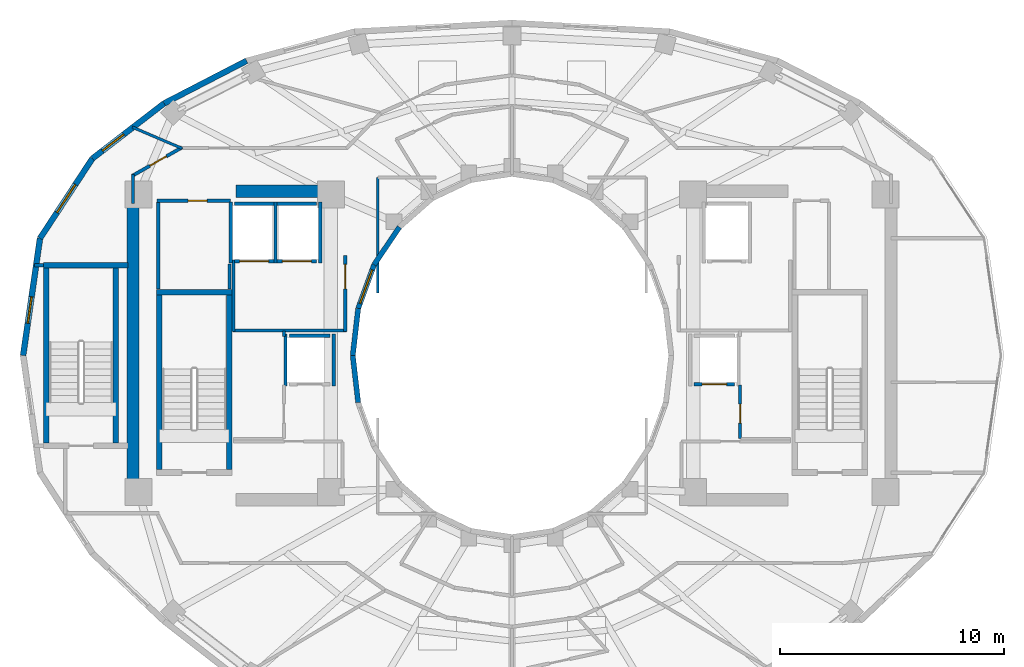
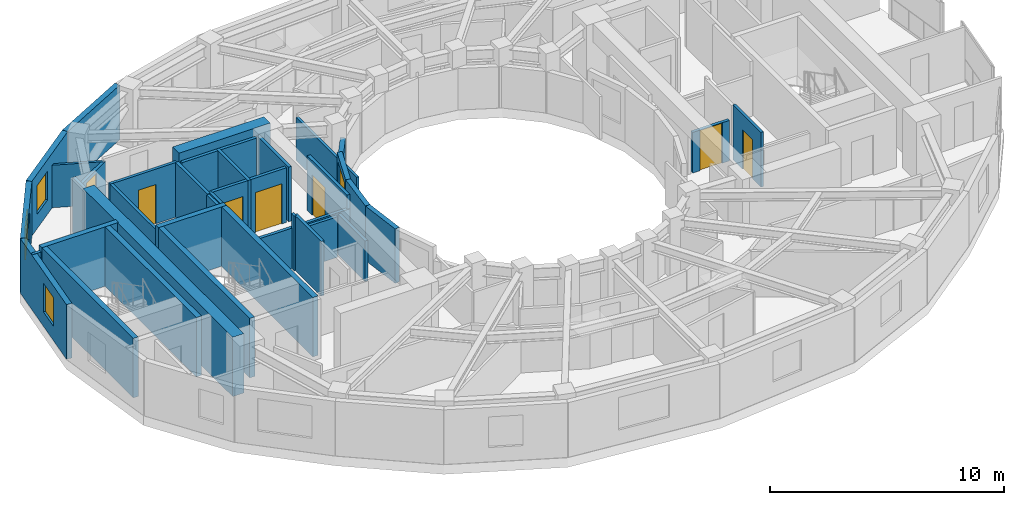
# One storey, part 7 of 12: 40 walls, 7 doors, 4 windows, 11 openings.
"""IFC4 building model written with IfcOpenShell, lengths in metres."""

from ifc_helpers import new_model, si_unit, direction, frame, frame_2d, origin, place, context, subcontext, project, spatial, rectangle, extrude, material, layer, layer_set, type_object, element, fill, save


model = new_model("IFC4")

# Units and contexts
model_context = context("Model", 3, precision=1e-05, world=origin(), true_north=direction((0.0, 1.0)))
body_context = subcontext(model_context, "Body", "Model", "MODEL_VIEW")
ifc_project = project(units=[si_unit("LENGTHUNIT", "METRE"), si_unit("AREAUNIT", "SQUARE_METRE"), si_unit("VOLUMEUNIT", "CUBIC_METRE"), si_unit("PLANEANGLEUNIT", "RADIAN"), si_unit("MASSUNIT", "GRAM", prefix="KILO")], contexts=[model_context])

# Site, building, storey
site_placement = place(None, origin())
site = spatial("IfcSite", under=ifc_project, at=site_placement, CompositionType="ELEMENT")
building_placement = place(site_placement, origin())
building = spatial("IfcBuilding", under=site, at=building_placement, Name="Solvane Sanctuary Tower", CompositionType="ELEMENT")
storey_placement = place(building_placement, frame((0.0, 0.0, 210.89990234375)))
storey = spatial("IfcBuildingStorey", under=building, at=storey_placement, Name="L64", CompositionType="ELEMENT", Elevation=210.89990234375)

# Walls
ifc_material_1 = material(Name="Concrete C50/60", Category="concrete")
ifc_layer_1 = layer(ifc_material_1, 0.550048828125, Name="Concrete C50/60")
ifc_layer_set_1 = layer_set([ifc_layer_1], Name="Concrete C50/60")
wall_type_1 = type_object("IfcWallType", Name="Wall W-CORE-550", PredefinedType="SHEAR", material=ifc_layer_set_1)
wall_1_placement = place(storey_placement, frame((15.050048828125, 17.050048828125, 0.0), z_axis=(0.0, 0.0, 1.0), x_axis=(0.0, 1.0, 0.0)))
element("IfcWall", 1, at=wall_1_placement, inside=storey, type_object=wall_type_1, Name="L64 Core Shear Wall WC-W", PredefinedType="SHEAR", context=body_context, shape_type="SweptSolid", body=[
    extrude(rectangle(XDim=12.800048828125, YDim=0.550048828125, at=frame_2d((6.39990234375, 0.0))), origin(), (0.0, 0.0, 1.0), 3.10009765625),
])
wall_2_placement = place(storey_placement, frame((19.64990234375, 30.35009765625, 0.0), z_axis=(0.0, 0.0, 1.0), x_axis=(1.0, 0.0, 0.0)))
element("IfcWall", 2, at=wall_2_placement, inside=storey, type_object=wall_type_1, Name="L64 Core Shear Wall WC-N", PredefinedType="SHEAR", context=body_context, shape_type="SweptSolid", body=[
    extrude(rectangle(XDim=4.5, YDim=0.550048828125, at=frame_2d((2.25, 0.0))), origin(), (0.0, 0.0, 1.0), 3.10009765625),
])
ifc_material_2 = material(Name="Acoustic Gypsum Partition Board")
ifc_layer_2 = layer(ifc_material_2, 0.14990234375, Name="Acoustic Gypsum Partition Board")
ifc_layer_set_2 = layer_set([ifc_layer_2], Name="Acoustic Gypsum Partition Board")
wall_type_2 = type_object("IfcWallType", Name="Wall W-CORR-150", PredefinedType="PARTITIONING", material=ifc_layer_set_2)
wall_3_placement = place(storey_placement, frame((19.52001953125, 24.1201171875, 0.0), z_axis=(0.0, 0.0, 1.0), x_axis=(1.0, 0.0, 0.0)))
element("IfcWall", 3, at=wall_3_placement, inside=storey, type_object=wall_type_2, Name="L64 West Firefighting Lobby South Wall", PredefinedType="PARTITIONING", context=body_context, shape_type="SweptSolid", body=[
    extrude(rectangle(XDim=5.080078125, YDim=0.14990234375, at=frame_2d((2.5400390625, 0.0))), origin(), (0.0, 0.0, 1.0), 2.1201171875),
])
wall_4_placement = place(storey_placement, frame((19.550048828125, 24.080078125, 0.0), z_axis=(0.0, 0.0, 1.0), x_axis=(0.0, 1.0, 0.0)))
element("IfcWall", 4, at=wall_4_placement, inside=storey, type_object=wall_type_2, Name="L64 West Firefighting Lobby West Wall", PredefinedType="PARTITIONING", context=body_context, shape_type="SweptSolid", body=[
    extrude(rectangle(XDim=3.199951171875, YDim=0.14990234375, at=frame_2d((1.60009765625, 0.0))), origin(), (0.0, 0.0, 1.0), 2.85498046875),
])

# Wall, opening, door
wall_5_placement = place(storey_placement, frame((24.550048828125, 24.080078125, 0.0), z_axis=(0.0, 0.0, 1.0), x_axis=(0.0, 1.0, 0.0)))
wall_5 = element("IfcWall", 5, at=wall_5_placement, inside=storey, type_object=wall_type_2, Name="L64 West Firefighting Lobby East Wall", PredefinedType="PARTITIONING", context=body_context, shape_type="SweptSolid", body=[
    extrude(rectangle(XDim=3.39990234375, YDim=0.14990234375, at=frame_2d((1.699951171875, 0.0))), origin(), (0.0, 0.0, 1.0), 2.85498046875),
])
opening_1_placement = place(wall_5_placement, frame((1.893798828125, 0.0, 0.0)))
opening_1 = element("IfcOpeningElement", 6, at=opening_1_placement, cuts=wall_5, Name="Opening D-L64-04", PredefinedType="OPENING", context=body_context, shape_type="SweptSolid", body=[
    extrude(rectangle(XDim=1.10009765625, YDim=2.10009765625, at=frame_2d((0.550048828125, 1.050048828125))), frame((0.0, 0.0849609375, 0.0), z_axis=(0.0, -1.0, 0.0), x_axis=(1.0, 0.0, 0.0)), (0.0, 0.0, 1.0), 0.169921875),
])
ifc_material_3 = material(Name="Architectural Stainless Steel 316", Category="steel")
door_type_1 = type_object("IfcDoorType", Name="Door D-FFL", OperationType="NOTDEFINED", PredefinedType="DOOR", material=ifc_material_3)
door_1_placement = place(opening_1_placement, origin())
door_1 = element("IfcDoor", 7, at=door_1_placement, inside=storey, type_object=door_type_1, Name="L64 West Firefighting Lobby Fire Door", OperationType="SINGLE_SWING_RIGHT", OverallHeight=2.10009765625, OverallWidth=1.10009765625, PredefinedType="DOOR", context=body_context, shape_type="SweptSolid", body=[
    extrude(rectangle(XDim=1.10009765625, YDim=2.10009765625, at=frame_2d((0.550048828125, 1.050048828125))), frame((0.0, 0.02490234375, 0.0), z_axis=(0.0, -1.0, 0.0), x_axis=(1.0, 0.0, 0.0)), (0.0, 0.0, 1.0), 0.050048828125),
])
fill(opening_1, door_1)

# Walls
wall_6_placement = place(storey_placement, frame((10.639892578125, 27.030029296875, 0.0), z_axis=(0.0, 0.0, 1.0), x_axis=(1.0, 0.0, 0.0)))
element("IfcWall", 8, at=wall_6_placement, inside=storey, type_object=wall_type_2, Name="L64 NW Corner Closer 1", PredefinedType="PARTITIONING", context=body_context, shape_type="SweptSolid", body=[
    extrude(rectangle(XDim=0.400146484375, YDim=0.14990234375, at=frame_2d((0.2001953125, 0.0))), origin(), (0.0, 0.0, 1.0), 2.85498046875),
])
wall_7_placement = place(storey_placement, frame((15.050048828125, 29.800048828125, 0.0), z_axis=(0.0, 0.0, 1.0), x_axis=(0.0, 1.0, 0.0)))
element("IfcWall", 9, at=wall_7_placement, inside=storey, type_object=wall_type_2, Name="L64 NW Corner Closer 2", PredefinedType="PARTITIONING", context=body_context, shape_type="SweptSolid", body=[
    extrude(rectangle(XDim=1.2900390625, YDim=0.14990234375, at=frame_2d((0.64501953125, 0.0))), origin(), (0.0, 0.0, 1.0), 2.85498046875),
])

# Wall, opening, door
wall_8_placement = place(storey_placement, frame((17.243408203125, 32.3046875, 0.0), z_axis=(0.0, 0.0, 1.0), x_axis=(-0.867991349648, -0.496579315857, 0.0)))
wall_8 = element("IfcWall", 10, at=wall_8_placement, inside=storey, type_object=wall_type_2, Name="L64 NW Corner Wing Wall", PredefinedType="PARTITIONING", context=body_context, shape_type="SweptSolid", body=[
    extrude(rectangle(XDim=2.56689453125, YDim=0.14990234375, at=frame_2d((1.283447265625, 0.0))), origin(), (0.0, 0.0, 1.0), 2.22021484375),
])
opening_2_placement = place(wall_8_placement, frame((0.8017578125, 0.0, 0.0)))
opening_2 = element("IfcOpeningElement", 11, at=opening_2_placement, cuts=wall_8, Name="Opening D-L64-20", PredefinedType="OPENING", context=body_context, shape_type="SweptSolid", body=[
    extrude(rectangle(XDim=0.85009765625, YDim=2.050048828125, at=frame_2d((0.425048828125, 1.02490234375))), frame((0.0, 0.0849609375, 0.0), z_axis=(0.0, -1.0, 0.0), x_axis=(1.0, 0.0, 0.0)), (0.0, 0.0, 1.0), 0.169921875),
])
door_type_2 = type_object("IfcDoorType", Name="Door D-RISER", OperationType="NOTDEFINED", PredefinedType="DOOR", material=ifc_material_3)
door_2_placement = place(opening_2_placement, origin())
door_2 = element("IfcDoor", 12, at=door_2_placement, inside=storey, type_object=door_type_2, Name="L64 NW Corner Suite Door", OperationType="SINGLE_SWING_RIGHT", OverallHeight=2.050048828125, OverallWidth=0.85009765625, PredefinedType="DOOR", context=body_context, shape_type="SweptSolid", body=[
    extrude(rectangle(XDim=0.85009765625, YDim=2.050048828125, at=frame_2d((0.425048828125, 1.02490234375))), frame((0.0, 0.02490234375, 0.0), z_axis=(0.0, -1.0, 0.0), x_axis=(1.0, 0.0, 0.0)), (0.0, 0.0, 1.0), 0.050048828125),
])
fill(opening_2, door_2)

# Wall
ifc_material_4 = material(Name="Precast concrete C40/50", Category="concrete")
ifc_layer_3 = layer(ifc_material_4, 0.260009765625, Name="Precast concrete C40/50")
ifc_layer_set_3 = layer_set([ifc_layer_3], Name="Precast concrete C40/50")
wall_type_3 = type_object("IfcWallType", Name="Wall W-EXT-250", PredefinedType="STANDARD", material=ifc_layer_set_3)
wall_9_placement = place(storey_placement, frame((20.1298828125, 36.177001953125, 0.0), z_axis=(0.0, 0.0, 1.0), x_axis=(-0.88849146803, -0.458893137057, 0.0)))
element("IfcWall", 13, at=wall_9_placement, inside=storey, type_object=wall_type_3, Name="L64 Ceramic-Printed Facade Wall 08", PredefinedType="STANDARD", context=body_context, shape_type="SweptSolid", body=[
    extrude(rectangle(XDim=4.150390625, YDim=0.260009765625, at=frame_2d((2.0751953125, 0.0))), origin(), (0.0, 0.0, 1.0), 2.85009765625),
])

# Wall, opening, window
wall_10_placement = place(storey_placement, frame((16.4423828125, 34.2724609375, 0.0), z_axis=(0.0, 0.0, 1.0), x_axis=(-0.792713817907, -0.609593965603, 0.0)))
wall_10 = element("IfcWall", 14, at=wall_10_placement, inside=storey, type_object=wall_type_3, Name="L64 Ceramic-Printed Facade Wall 09", PredefinedType="STANDARD", context=body_context, shape_type="SweptSolid", body=[
    extrude(rectangle(XDim=4.041015625, YDim=0.260009765625, at=frame_2d((2.0205078125, 0.0))), origin(), (0.0, 0.0, 1.0), 2.85009765625),
])
opening_3_placement = place(wall_10_placement, frame((2.275390625, 0.0, 0.75)))
opening_3 = element("IfcOpeningElement", 15, at=opening_3_placement, cuts=wall_10, Name="Opening WN-OPER-1200", PredefinedType="OPENING", context=body_context, shape_type="SweptSolid", body=[
    extrude(rectangle(XDim=1.199951171875, YDim=1.5, at=frame_2d((0.60009765625, 0.75))), frame((0.0, 0.139892578125, 0.0), z_axis=(0.0, -1.0, 0.0), x_axis=(1.0, 0.0, 0.0)), (0.0, 0.0, 1.0), 0.280029296875),
])
ifc_material_5 = material(Name="Dark Ceramic-Fritted Low-E Glass", Category="glass")
window_type_1 = type_object("IfcWindowType", Name="Window WN-OPER-1200", PartitioningType="SINGLE_PANEL", PredefinedType="WINDOW", material=ifc_material_5)
window_1_placement = place(opening_3_placement, origin())
window_1 = element("IfcWindow", 16, at=window_1_placement, inside=storey, type_object=window_type_1, Name="L64 Operable Facade Window 09", OverallHeight=1.5, OverallWidth=1.199951171875, PartitioningType="SINGLE_PANEL", PredefinedType="WINDOW", context=body_context, shape_type="SweptSolid", body=[
    extrude(rectangle(XDim=1.199951171875, YDim=1.5, at=frame_2d((0.60009765625, 0.75))), frame((0.0, 0.030029296875, 0.0), z_axis=(0.0, -1.0, 0.0), x_axis=(1.0, 0.0, 0.0)), (0.0, 0.0, 1.0), 0.06005859375),
])
fill(opening_3, window_1)

wall_11_placement = place(storey_placement, frame((13.239013671875, 31.80908203125, 0.0), z_axis=(0.0, 0.0, 1.0), x_axis=(-0.548776305075, -0.835969238064, 0.0)))
wall_11 = element("IfcWall", 17, at=wall_11_placement, inside=storey, type_object=wall_type_3, Name="L64 Ceramic-Printed Facade Wall 10", PredefinedType="STANDARD", context=body_context, shape_type="SweptSolid", body=[
    extrude(rectangle(XDim=4.270751953125, YDim=0.260009765625, at=frame_2d((2.13525390625, 0.0))), origin(), (0.0, 0.0, 1.0), 2.85009765625),
])
opening_4_placement = place(wall_11_placement, frame((1.385498046875, 0.0, 0.75)))
opening_4 = element("IfcOpeningElement", 18, at=opening_4_placement, cuts=wall_11, Name="Opening WN-OPER-1500", PredefinedType="OPENING", context=body_context, shape_type="SweptSolid", body=[
    extrude(rectangle(XDim=1.5, YDim=1.60009765625, at=frame_2d((0.75, 0.800048828125))), frame((0.0, 0.139892578125, 0.0), z_axis=(0.0, -1.0, 0.0), x_axis=(1.0, 0.0, 0.0)), (0.0, 0.0, 1.0), 0.280029296875),
])
window_type_2 = type_object("IfcWindowType", Name="Window WN-OPER-1500", PartitioningType="SINGLE_PANEL", PredefinedType="WINDOW", material=ifc_material_5)
window_2_placement = place(opening_4_placement, origin())
window_2 = element("IfcWindow", 19, at=window_2_placement, inside=storey, type_object=window_type_2, Name="L64 Operable Facade Window 10", OverallHeight=1.60009765625, OverallWidth=1.5, PartitioningType="SINGLE_PANEL", PredefinedType="WINDOW", context=body_context, shape_type="SweptSolid", body=[
    extrude(rectangle(XDim=1.5, YDim=1.60009765625, at=frame_2d((0.75, 0.800048828125))), frame((0.0, 0.030029296875, 0.0), z_axis=(0.0, -1.0, 0.0), x_axis=(1.0, 0.0, 0.0)), (0.0, 0.0, 1.0), 0.06005859375),
])
fill(opening_4, window_2)

wall_12_placement = place(storey_placement, frame((10.895263671875, 28.23876953125, 0.0), z_axis=(0.0, 0.0, 1.0), x_axis=(-0.142712754019, -0.989764148593, 0.0)))
wall_12 = element("IfcWall", 20, at=wall_12_placement, inside=storey, type_object=wall_type_3, Name="L64 Ceramic-Printed Facade Wall 11", PredefinedType="STANDARD", context=body_context, shape_type="SweptSolid", body=[
    extrude(rectangle(XDim=5.29296875, YDim=0.260009765625, at=frame_2d((2.646484375, 0.0))), origin(), (0.0, 0.0, 1.0), 2.85009765625),
])
opening_5_placement = place(wall_12_placement, frame((2.635009765625, 0.0, 0.75)))
opening_5 = element("IfcOpeningElement", 21, at=opening_5_placement, cuts=wall_12, Name="Opening WN-OPER-1200", PredefinedType="OPENING", context=body_context, shape_type="SweptSolid", body=[
    extrude(rectangle(XDim=1.199951171875, YDim=1.5, at=frame_2d((0.60009765625, 0.75))), frame((0.0, 0.139892578125, 0.0), z_axis=(0.0, -1.0, 0.0), x_axis=(1.0, 0.0, 0.0)), (0.0, 0.0, 1.0), 0.280029296875),
])
window_3_placement = place(opening_5_placement, origin())
window_3 = element("IfcWindow", 22, at=window_3_placement, inside=storey, type_object=window_type_1, Name="L64 Operable Facade Window 11", OverallHeight=1.5, OverallWidth=1.199951171875, PartitioningType="SINGLE_PANEL", PredefinedType="WINDOW", context=body_context, shape_type="SweptSolid", body=[
    extrude(rectangle(XDim=1.199951171875, YDim=1.5, at=frame_2d((0.60009765625, 0.75))), frame((0.0, 0.030029296875, 0.0), z_axis=(0.0, -1.0, 0.0), x_axis=(1.0, 0.0, 0.0)), (0.0, 0.0, 1.0), 0.06005859375),
])
fill(opening_5, window_3)

# Wall
ifc_layer_4 = layer(ifc_material_4, 0.22998046875, Name="Precast concrete C40/50")
ifc_layer_set_4 = layer_set([ifc_layer_4], Name="Precast concrete C40/50")
wall_type_4 = type_object("IfcWallType", Name="Wall W-EXT-SP220", PredefinedType="STANDARD", material=ifc_layer_set_4)
wall_13_placement = place(storey_placement, frame((26.96533203125, 28.74169921875, 0.0), z_axis=(0.0, 0.0, 1.0), x_axis=(-0.558197800898, -0.829707909492, 0.0)))
element("IfcWall", 23, at=wall_13_placement, inside=storey, type_object=wall_type_4, Name="L64 Central Light-Well Wall 09", PredefinedType="STANDARD", context=body_context, shape_type="SweptSolid", body=[
    extrude(rectangle(XDim=2.02685546875, YDim=0.22998046875, at=frame_2d((1.013427734375, 0.0))), origin(), (0.0, 0.0, 1.0), 2.16015625),
])

# Wall, opening, window
wall_14_placement = place(storey_placement, frame((25.833984375, 27.06005859375, 0.0), z_axis=(0.0, 0.0, 1.0), x_axis=(-0.341423187295, -0.93990968033, 0.0)))
wall_14 = element("IfcWall", 24, at=wall_14_placement, inside=storey, type_object=wall_type_4, Name="L64 Central Light-Well Wall 10", PredefinedType="STANDARD", context=body_context, shape_type="SweptSolid", body=[
    extrude(rectangle(XDim=2.083740234375, YDim=0.22998046875, at=frame_2d((1.0419921875, 0.0))), origin(), (0.0, 0.0, 1.0), 2.840087890625),
])
opening_6_placement = place(wall_14_placement, frame((0.24169921875, 0.0, 0.85009765625)))
opening_6 = element("IfcOpeningElement", 25, at=opening_6_placement, cuts=wall_14, Name="Opening WN-WELL-1600", PredefinedType="OPENING", context=body_context, shape_type="SweptSolid", body=[
    extrude(rectangle(XDim=1.60009765625, YDim=1.64990234375, at=frame_2d((0.800048828125, 0.824951171875))), frame((0.0, 0.125, 0.0), z_axis=(0.0, -1.0, 0.0), x_axis=(1.0, 0.0, 0.0)), (0.0, 0.0, 1.0), 0.25),
])
ifc_material_6 = material(Name="Clear Laminated Light-Well Glass", Category="glass")
window_type_3 = type_object("IfcWindowType", Name="Window WN-WELL-1600", PartitioningType="SINGLE_PANEL", PredefinedType="WINDOW", material=ifc_material_6)
window_4_placement = place(opening_6_placement, origin())
window_4 = element("IfcWindow", 26, at=window_4_placement, inside=storey, type_object=window_type_3, Name="L64 Light-Well Daylight Window 10", OverallHeight=1.64990234375, OverallWidth=1.60009765625, PartitioningType="SINGLE_PANEL", PredefinedType="WINDOW", context=body_context, shape_type="SweptSolid", body=[
    extrude(rectangle(XDim=1.60009765625, YDim=1.64990234375, at=frame_2d((0.800048828125, 0.824951171875))), frame((0.0, 0.030029296875, 0.0), z_axis=(0.0, -1.0, 0.0), x_axis=(1.0, 0.0, 0.0)), (0.0, 0.0, 1.0), 0.06005859375),
])
fill(opening_6, window_4)

# Walls
for number, where, z_axis, x_axis, name in (
    (27, (25.12255859375, 25.1015625, 0.0), (0.0, 0.0, 1.0), (-0.114711713601, -0.993398823617, 0.0), "L64 Central Light-Well Wall 11"),
    (28, (24.8798828125, 23.0, 0.0), (0.0, 0.0, 1.0), (0.114711713601, -0.993398823617, 0.0), "L64 Central Light-Well Wall 12"),
):
    element("IfcWall", number, at=place(storey_placement, frame(where, z_axis=z_axis, x_axis=x_axis)), inside=storey, type_object=wall_type_4, Name=name, PredefinedType="STANDARD", context=body_context, shape_type="SweptSolid", body=[
        extrude(rectangle(XDim=2.115478515625, YDim=0.22998046875, at=frame_2d((1.0576171875, 0.0))), origin(), (0.0, 0.0, 1.0), 2.840087890625),
    ])
ifc_layer_5 = layer(ifc_material_2, 0.1201171875, Name="Acoustic Gypsum Partition Board")
ifc_layer_set_5 = layer_set([ifc_layer_5], Name="Acoustic Gypsum Partition Board")
wall_type_5 = type_object("IfcWallType", Name="Wall W-MOV-100", PredefinedType="MOVABLE", material=ifc_layer_set_5)
wall_15_placement = place(storey_placement, frame((17.24609375, 32.260498046875, 0.0), z_axis=(0.0, 0.0, 1.0), x_axis=(-0.919666784939, 0.39269963672, 0.0)))
element("IfcWall", 29, at=wall_15_placement, inside=storey, type_object=wall_type_5, Name="L64 NW Corner Suite Partition", PredefinedType="MOVABLE", context=body_context, shape_type="SweptSolid", body=[
    extrude(rectangle(XDim=2.41650390625, YDim=0.1201171875, at=frame_2d((1.208251953125, 0.0))), origin(), (0.0, 0.0, 1.0), 2.22021484375),
])
ifc_layer_6 = layer(ifc_material_2, 0.125, Name="Acoustic Gypsum Partition Board")
ifc_layer_set_6 = layer_set([ifc_layer_6], Name="Acoustic Gypsum Partition Board")
wall_type_6 = type_object("IfcWallType", Name="Wall W-PART-125", PredefinedType="PARTITIONING", material=ifc_layer_set_6)
wall_16_placement = place(storey_placement, frame((21.800048828125, 23.85009765625, 0.0), z_axis=(0.0, 0.0, 1.0), x_axis=(0.0, 1.0, 0.0)))
element("IfcWall", 30, at=wall_16_placement, inside=storey, type_object=wall_type_6, Name="L64 Reclaimed Room Dividing Wall PMW", PredefinedType="PARTITIONING", context=body_context, shape_type="SweptSolid", body=[
    extrude(rectangle(XDim=0.25, YDim=0.125, at=frame_2d((0.125, 0.0))), origin(), (0.0, 0.0, 1.0), 2.85498046875),
])

# Wall, opening, door
wall_17_placement = place(storey_placement, frame((42.199951171875, 19.280029296875, 0.0), z_axis=(0.0, 0.0, 1.0), x_axis=(0.0, 1.0, 0.0)))
wall_17 = element("IfcWall", 31, at=wall_17_placement, inside=storey, type_object=wall_type_6, Name="L64 Reclaimed Room Partition PME", PredefinedType="PARTITIONING", context=body_context, shape_type="SweptSolid", body=[
    extrude(rectangle(XDim=2.39990234375, YDim=0.125, at=frame_2d((1.199951171875, 0.0))), origin(), (0.0, 0.0, 1.0), 2.85498046875),
])
opening_7_placement = place(wall_17_placement, frame((0.699951171875, 0.0, 0.0)))
opening_7 = element("IfcOpeningElement", 32, at=opening_7_placement, cuts=wall_17, Name="Opening D-L64-09", PredefinedType="OPENING", context=body_context, shape_type="SweptSolid", body=[
    extrude(rectangle(XDim=0.85009765625, YDim=2.050048828125, at=frame_2d((0.425048828125, 1.02490234375))), frame((0.0, 0.072509765625, 0.0), z_axis=(0.0, -1.0, 0.0), x_axis=(1.0, 0.0, 0.0)), (0.0, 0.0, 1.0), 0.14501953125),
])
door_3_placement = place(opening_7_placement, origin())
door_3 = element("IfcDoor", 33, at=door_3_placement, inside=storey, type_object=door_type_2, Name="L64 Reclaimed Room Door PME-1", OperationType="SINGLE_SWING_LEFT", OverallHeight=2.050048828125, OverallWidth=0.85009765625, PredefinedType="DOOR", context=body_context, shape_type="SweptSolid", body=[
    extrude(rectangle(XDim=0.85009765625, YDim=2.050048828125, at=frame_2d((0.425048828125, 1.02490234375))), frame((0.0, 0.02490234375, 0.0), z_axis=(0.0, -1.0, 0.0), x_axis=(1.0, 0.0, 0.0)), (0.0, 0.0, 1.0), 0.050048828125),
])
fill(opening_7, door_3)

# Walls
wall_18_placement = place(storey_placement, frame((26.0, 25.800048828125, 0.0), z_axis=(0.0, 0.0, 1.0), x_axis=(0.0, 1.0, 0.0)))
element("IfcWall", 34, at=wall_18_placement, inside=storey, type_object=wall_type_6, Name="L64 Bridge Alcove Wall 1", PredefinedType="PARTITIONING", context=body_context, shape_type="SweptSolid", body=[
    extrude(rectangle(XDim=5.159912109375, YDim=0.125, at=frame_2d((2.580078125, 0.0))), origin(), (0.0, 0.0, 1.0), 2.232177734375),
])
ifc_layer_7 = layer(ifc_material_1, 0.14990234375, Name="Concrete C50/60")
ifc_layer_set_7 = layer_set([ifc_layer_7], Name="Concrete C50/60")
wall_type_7 = type_object("IfcWallType", Name="Wall W-SHAFT-150", PredefinedType="SOLIDWALL", material=ifc_layer_set_7)
wall_19_placement = place(storey_placement, frame((22.0400390625, 23.8798828125, 0.0), z_axis=(0.0, 0.0, 1.0), x_axis=(1.0, 0.0, 0.0)))
element("IfcWall", 35, at=wall_19_placement, inside=storey, type_object=wall_type_7, Name="L64 PH-1 Lift Shaft Wall B", PredefinedType="SOLIDWALL", context=body_context, shape_type="SweptSolid", body=[
    extrude(rectangle(XDim=1.820068359375, YDim=0.14990234375, at=frame_2d((0.91015625, 0.0))), origin(), (0.0, 0.0, 1.0), 2.1201171875),
])
wall_20_placement = place(storey_placement, frame((21.8701171875, 21.639892578125, 0.0), z_axis=(0.0, 0.0, 1.0), x_axis=(0.0, 1.0, 0.0)))
element("IfcWall", 36, at=wall_20_placement, inside=storey, type_object=wall_type_7, Name="L64 PH-1 Lift Shaft Wall S1", PredefinedType="SOLIDWALL", context=body_context, shape_type="SweptSolid", body=[
    extrude(rectangle(XDim=2.320068359375, YDim=0.14990234375, at=frame_2d((1.16015625, 0.0))), origin(), (0.0, 0.0, 1.0), 2.85498046875),
])
wall_21_placement = place(storey_placement, frame((24.030029296875, 21.639892578125, 0.0), z_axis=(0.0, 0.0, 1.0), x_axis=(0.0, 1.0, 0.0)))
element("IfcWall", 37, at=wall_21_placement, inside=storey, type_object=wall_type_7, Name="L64 PH-1 Lift Shaft Wall S2", PredefinedType="SOLIDWALL", context=body_context, shape_type="SweptSolid", body=[
    extrude(rectangle(XDim=2.320068359375, YDim=0.14990234375, at=frame_2d((1.16015625, 0.0))), origin(), (0.0, 0.0, 1.0), 2.1201171875),
])

# Wall, opening, door
wall_22_placement = place(storey_placement, frame((40.139892578125, 21.719970703125, 0.0), z_axis=(0.0, 0.0, 1.0), x_axis=(1.0, 0.0, 0.0)))
wall_22 = element("IfcWall", 38, at=wall_22_placement, inside=storey, type_object=wall_type_7, Name="L64 PH-2 Lift Shaft Wall F", PredefinedType="SOLIDWALL", context=body_context, shape_type="SweptSolid", body=[
    extrude(rectangle(XDim=1.820068359375, YDim=0.14990234375, at=frame_2d((0.91015625, 0.0))), origin(), (0.0, 0.0, 1.0), 2.1201171875),
])
opening_8_placement = place(wall_22_placement, frame((0.360107421875, 0.0, 0.0)))
opening_8 = element("IfcOpeningElement", 39, at=opening_8_placement, cuts=wall_22, Name="Opening LD-L64-02", PredefinedType="OPENING", context=body_context, shape_type="SweptSolid", body=[
    extrude(rectangle(XDim=1.10009765625, YDim=2.10009765625, at=frame_2d((0.550048828125, 1.050048828125))), frame((0.0, 0.0849609375, 0.0), z_axis=(0.0, -1.0, 0.0), x_axis=(1.0, 0.0, 0.0)), (0.0, 0.0, 1.0), 0.169921875),
])
door_type_3 = type_object("IfcDoorType", Name="Door LD-PASS-1100", OperationType="NOTDEFINED", PredefinedType="DOOR", material=ifc_material_3)
door_4_placement = place(opening_8_placement, origin())
door_4 = element("IfcDoor", 40, at=door_4_placement, inside=storey, type_object=door_type_3, Name="L64 PH-2 Lift Landing Door", OperationType="DOUBLE_DOOR_SLIDING", OverallHeight=2.10009765625, OverallWidth=1.10009765625, PredefinedType="DOOR", context=body_context, shape_type="SweptSolid", body=[
    extrude(rectangle(XDim=1.10009765625, YDim=2.10009765625, at=frame_2d((0.550048828125, 1.050048828125))), frame((0.0, 0.02490234375, 0.0), z_axis=(0.0, -1.0, 0.0), x_axis=(1.0, 0.0, 0.0)), (0.0, 0.0, 1.0), 0.050048828125),
])
fill(opening_8, door_4)

wall_23_placement = place(storey_placement, frame((19.590087890625, 27.219970703125, 0.0), z_axis=(0.0, 0.0, 1.0), x_axis=(1.0, 0.0, 0.0)))
wall_23 = element("IfcWall", 41, at=wall_23_placement, inside=storey, type_object=wall_type_7, Name="L64 FFL-1 Lift Shaft Wall F", PredefinedType="SOLIDWALL", context=body_context, shape_type="SweptSolid", body=[
    extrude(rectangle(XDim=1.760009765625, YDim=0.14990234375, at=frame_2d((0.8798828125, 0.0))), origin(), (0.0, 0.0, 1.0), 2.85498046875),
])
opening_9_placement = place(wall_23_placement, frame((0.22998046875, 0.0, 0.0)))
opening_9 = element("IfcOpeningElement", 42, at=opening_9_placement, cuts=wall_23, Name="Opening LD-L64-03", PredefinedType="OPENING", context=body_context, shape_type="SweptSolid", body=[
    extrude(rectangle(XDim=1.300048828125, YDim=2.10009765625, at=frame_2d((0.64990234375, 1.050048828125))), frame((0.0, 0.0849609375, 0.0), z_axis=(0.0, -1.0, 0.0), x_axis=(1.0, 0.0, 0.0)), (0.0, 0.0, 1.0), 0.169921875),
])
door_type_4 = type_object("IfcDoorType", Name="Door LD-FFL-1300", OperationType="NOTDEFINED", PredefinedType="DOOR", material=ifc_material_3)
door_5_placement = place(opening_9_placement, origin())
door_5 = element("IfcDoor", 43, at=door_5_placement, inside=storey, type_object=door_type_4, Name="L64 FFL-1 Lift Landing Door", OperationType="DOUBLE_DOOR_SLIDING", OverallHeight=2.10009765625, OverallWidth=1.300048828125, PredefinedType="DOOR", context=body_context, shape_type="SweptSolid", body=[
    extrude(rectangle(XDim=1.300048828125, YDim=2.10009765625, at=frame_2d((0.64990234375, 1.050048828125))), frame((0.0, 0.02490234375, 0.0), z_axis=(0.0, -1.0, 0.0), x_axis=(1.0, 0.0, 0.0)), (0.0, 0.0, 1.0), 0.050048828125),
])
fill(opening_9, door_5)

# Walls
wall_24_placement = place(storey_placement, frame((19.590087890625, 29.780029296875, 0.0), z_axis=(0.0, 0.0, 1.0), x_axis=(1.0, 0.0, 0.0)))
element("IfcWall", 44, at=wall_24_placement, inside=storey, type_object=wall_type_7, Name="L64 FFL-1 Lift Shaft Wall B", PredefinedType="SOLIDWALL", context=body_context, shape_type="SweptSolid", body=[
    extrude(rectangle(XDim=1.760009765625, YDim=0.14990234375, at=frame_2d((0.8798828125, 0.0))), origin(), (0.0, 0.0, 1.0), 2.85498046875),
])
for number, where, z_axis, x_axis, name in (
    (45, (19.419921875, 27.139892578125, 0.0), (0.0, 0.0, 1.0), (0.0, 1.0, 0.0), "L64 FFL-1 Lift Shaft Wall S1"),
    (46, (21.425048828125, 27.139892578125, 0.0), (0.0, 0.0, 1.0), (0.0, 1.0, 0.0), "L64 FFL-1 Lift Shaft Wall S2"),
):
    element("IfcWall", number, at=place(storey_placement, frame(where, z_axis=z_axis, x_axis=x_axis)), inside=storey, type_object=wall_type_7, Name=name, PredefinedType="SOLIDWALL", context=body_context, shape_type="SweptSolid", body=[
        extrude(rectangle(XDim=2.72021484375, YDim=0.14990234375, at=frame_2d((1.360107421875, 0.0))), origin(), (0.0, 0.0, 1.0), 2.85498046875),
    ])

# Wall, opening, door
wall_25_placement = place(storey_placement, frame((21.5, 27.219970703125, 0.0), z_axis=(0.0, 0.0, 1.0), x_axis=(1.0, 0.0, 0.0)))
wall_25 = element("IfcWall", 47, at=wall_25_placement, inside=storey, type_object=wall_type_7, Name="L64 SVL-1 Lift Shaft Wall F", PredefinedType="SOLIDWALL", context=body_context, shape_type="SweptSolid", body=[
    extrude(rectangle(XDim=1.760009765625, YDim=0.14990234375, at=frame_2d((0.8798828125, 0.0))), origin(), (0.0, 0.0, 1.0), 2.85498046875),
])
opening_10_placement = place(wall_25_placement, frame((0.22998046875, 0.0, 0.0)))
opening_10 = element("IfcOpeningElement", 48, at=opening_10_placement, cuts=wall_25, Name="Opening LD-L64-04", PredefinedType="OPENING", context=body_context, shape_type="SweptSolid", body=[
    extrude(rectangle(XDim=1.300048828125, YDim=2.10009765625, at=frame_2d((0.64990234375, 1.050048828125))), frame((0.0, 0.0849609375, 0.0), z_axis=(0.0, -1.0, 0.0), x_axis=(1.0, 0.0, 0.0)), (0.0, 0.0, 1.0), 0.169921875),
])
door_6_placement = place(opening_10_placement, origin())
door_6 = element("IfcDoor", 49, at=door_6_placement, inside=storey, type_object=door_type_4, Name="L64 SVL-1 Lift Landing Door", OperationType="DOUBLE_DOOR_SLIDING", OverallHeight=2.10009765625, OverallWidth=1.300048828125, PredefinedType="DOOR", context=body_context, shape_type="SweptSolid", body=[
    extrude(rectangle(XDim=1.300048828125, YDim=2.10009765625, at=frame_2d((0.64990234375, 1.050048828125))), frame((0.0, 0.02490234375, 0.0), z_axis=(0.0, -1.0, 0.0), x_axis=(1.0, 0.0, 0.0)), (0.0, 0.0, 1.0), 0.050048828125),
])
fill(opening_10, door_6)

# Walls
wall_26_placement = place(storey_placement, frame((21.5, 29.780029296875, 0.0), z_axis=(0.0, 0.0, 1.0), x_axis=(1.0, 0.0, 0.0)))
element("IfcWall", 50, at=wall_26_placement, inside=storey, type_object=wall_type_7, Name="L64 SVL-1 Lift Shaft Wall B", PredefinedType="SOLIDWALL", context=body_context, shape_type="SweptSolid", body=[
    extrude(rectangle(XDim=1.760009765625, YDim=0.14990234375, at=frame_2d((0.8798828125, 0.0))), origin(), (0.0, 0.0, 1.0), 2.85498046875),
])
wall_27_placement = place(storey_placement, frame((23.429931640625, 27.139892578125, 0.0), z_axis=(0.0, 0.0, 1.0), x_axis=(0.0, 1.0, 0.0)))
element("IfcWall", 51, at=wall_27_placement, inside=storey, type_object=wall_type_7, Name="L64 SVL-1 Lift Shaft Wall S2", PredefinedType="SOLIDWALL", context=body_context, shape_type="SweptSolid", body=[
    extrude(rectangle(XDim=2.72021484375, YDim=0.14990234375, at=frame_2d((1.360107421875, 0.0))), origin(), (0.0, 0.0, 1.0), 2.85498046875),
])
ifc_layer_8 = layer(ifc_material_1, 0.25, Name="Concrete C50/60")
ifc_layer_set_8 = layer_set([ifc_layer_8], Name="Concrete C50/60")
wall_type_8 = type_object("IfcWallType", Name="Wall W-SHAFT-250", PredefinedType="SOLIDWALL", material=ifc_layer_set_8)
wall_28_placement = place(storey_placement, frame((16.10498046875, 25.830078125, 0.0), z_axis=(0.0, 0.0, 1.0), x_axis=(1.0, 0.0, 0.0)))
element("IfcWall", 52, at=wall_28_placement, inside=storey, type_object=wall_type_8, Name="L64 ST-1 Load-Bearing Shaft Wall N", PredefinedType="SOLIDWALL", context=body_context, shape_type="SweptSolid", body=[
    extrude(rectangle(XDim=3.3701171875, YDim=0.25, at=frame_2d((1.68505859375, 0.0))), origin(), (0.0, 0.0, 1.0), 3.10009765625),
])
for number, where, z_axis, x_axis, name in (
    (53, (16.22998046875, 17.89501953125, 0.0), (0.0, 0.0, 1.0), (0.0, 1.0, 0.0), "L64 ST-1 Load-Bearing Shaft Wall W"),
    (54, (19.35009765625, 17.89501953125, 0.0), (0.0, 0.0, 1.0), (0.0, 1.0, 0.0), "L64 ST-1 Load-Bearing Shaft Wall E"),
):
    element("IfcWall", number, at=place(storey_placement, frame(where, z_axis=z_axis, x_axis=x_axis)), inside=storey, type_object=wall_type_8, Name=name, PredefinedType="SOLIDWALL", context=body_context, shape_type="SweptSolid", body=[
        extrude(rectangle(XDim=7.81005859375, YDim=0.25, at=frame_2d((3.905029296875, 0.0))), origin(), (0.0, 0.0, 1.0), 3.10009765625),
    ])
wall_29_placement = place(storey_placement, frame((11.044921875, 27.030029296875, 0.0), z_axis=(0.0, 0.0, 1.0), x_axis=(1.0, 0.0, 0.0)))
element("IfcWall", 55, at=wall_29_placement, inside=storey, type_object=wall_type_8, Name="L64 ST-3 Load-Bearing Shaft Wall N", PredefinedType="SOLIDWALL", context=body_context, shape_type="SweptSolid", body=[
    extrude(rectangle(XDim=3.781982421875, YDim=0.25, at=frame_2d((1.89111328125, 0.0))), origin(), (0.0, 0.0, 1.0), 3.10009765625),
])
for number, where, z_axis, x_axis, name in (
    (56, (11.169921875, 19.094970703125, 0.0), (0.0, 0.0, 1.0), (0.0, 1.0, 0.0), "L64 ST-3 Load-Bearing Shaft Wall W"),
    (57, (14.2900390625, 19.094970703125, 0.0), (0.0, 0.0, 1.0), (0.0, 1.0, 0.0), "L64 ST-3 Load-Bearing Shaft Wall E"),
):
    element("IfcWall", number, at=place(storey_placement, frame(where, z_axis=z_axis, x_axis=x_axis)), inside=storey, type_object=wall_type_8, Name=name, PredefinedType="SOLIDWALL", context=body_context, shape_type="SweptSolid", body=[
        extrude(rectangle(XDim=7.81005859375, YDim=0.25, at=frame_2d((3.905029296875, 0.0))), origin(), (0.0, 0.0, 1.0), 3.10009765625),
    ])

# Wall, opening, door
ifc_layer_9 = layer(ifc_material_2, 0.139892578125, Name="Acoustic Gypsum Partition Board")
ifc_layer_set_9 = layer_set([ifc_layer_9], Name="Acoustic Gypsum Partition Board")
wall_type_9 = type_object("IfcWallType", Name="Wall W-WET-140", PredefinedType="PLUMBINGWALL", material=ifc_layer_set_9)
wall_30_placement = place(storey_placement, frame((16.1201171875, 29.919921875, 0.0), z_axis=(0.0, 0.0, 1.0), x_axis=(1.0, 0.0, 0.0)))
wall_30 = element("IfcWall", 58, at=wall_30_placement, inside=storey, type_object=wall_type_9, Name="L64 Core Service Front Wall KW0", PredefinedType="PLUMBINGWALL", context=body_context, shape_type="SweptSolid", body=[
    extrude(rectangle(XDim=3.2998046875, YDim=0.139892578125, at=frame_2d((1.64990234375, 0.0))), origin(), (0.0, 0.0, 1.0), 2.85498046875),
])
opening_11_placement = place(wall_30_placement, frame((1.3994140625, 0.0, 0.0)))
opening_11 = element("IfcOpeningElement", 59, at=opening_11_placement, cuts=wall_30, Name="Opening D-L64-10", PredefinedType="OPENING", context=body_context, shape_type="SweptSolid", body=[
    extrude(rectangle(XDim=0.85009765625, YDim=2.050048828125, at=frame_2d((0.425048828125, 1.02490234375))), frame((0.0, 0.079833984375, 0.0), z_axis=(0.0, -1.0, 0.0), x_axis=(1.0, 0.0, 0.0)), (0.0, 0.0, 1.0), 0.159912109375),
])
door_7_placement = place(opening_11_placement, origin())
door_7 = element("IfcDoor", 60, at=door_7_placement, inside=storey, type_object=door_type_2, Name="L64 Core Service Room Door KW0-1", OperationType="SINGLE_SWING_RIGHT", OverallHeight=2.050048828125, OverallWidth=0.85009765625, PredefinedType="DOOR", context=body_context, shape_type="SweptSolid", body=[
    extrude(rectangle(XDim=0.85009765625, YDim=2.050048828125, at=frame_2d((0.425048828125, 1.02490234375))), frame((0.0, 0.02490234375, 0.0), z_axis=(0.0, -1.0, 0.0), x_axis=(1.0, 0.0, 0.0)), (0.0, 0.0, 1.0), 0.050048828125),
])
fill(opening_11, door_7)

# Walls
wall_31_placement = place(storey_placement, frame((16.179931640625, 25.97998046875, 0.0), z_axis=(0.0, 0.0, 1.0), x_axis=(0.0, 1.0, 0.0)))
element("IfcWall", 61, at=wall_31_placement, inside=storey, type_object=wall_type_9, Name="L64 Core Service Side Wall KW0-1", PredefinedType="PLUMBINGWALL", context=body_context, shape_type="SweptSolid", body=[
    extrude(rectangle(XDim=3.880126953125, YDim=0.139892578125, at=frame_2d((1.93994140625, 0.0))), origin(), (0.0, 0.0, 1.0), 2.85498046875),
])
wall_32_placement = place(storey_placement, frame((19.360107421875, 25.97998046875, 0.0), z_axis=(0.0, 0.0, 1.0), x_axis=(0.0, 1.0, 0.0)))
element("IfcWall", 62, at=wall_32_placement, inside=storey, type_object=wall_type_9, Name="L64 Core Service Side Wall KW0-2", PredefinedType="PLUMBINGWALL", context=body_context, shape_type="SweptSolid", body=[
    extrude(rectangle(XDim=1.1201171875, YDim=0.139892578125, at=frame_2d((0.56005859375, 0.0))), origin(), (0.0, 0.0, 1.0), 2.85498046875),
])

save(model, "model.ifc")
